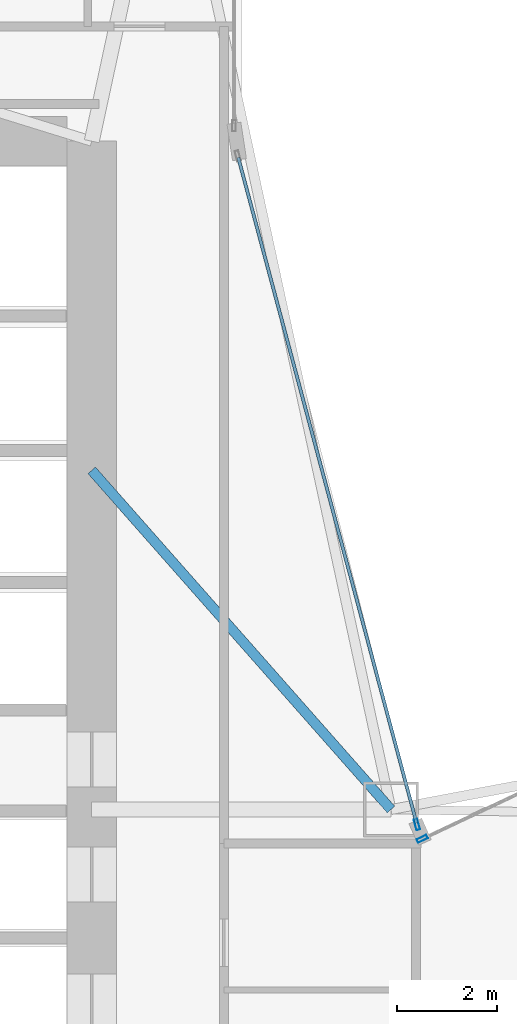
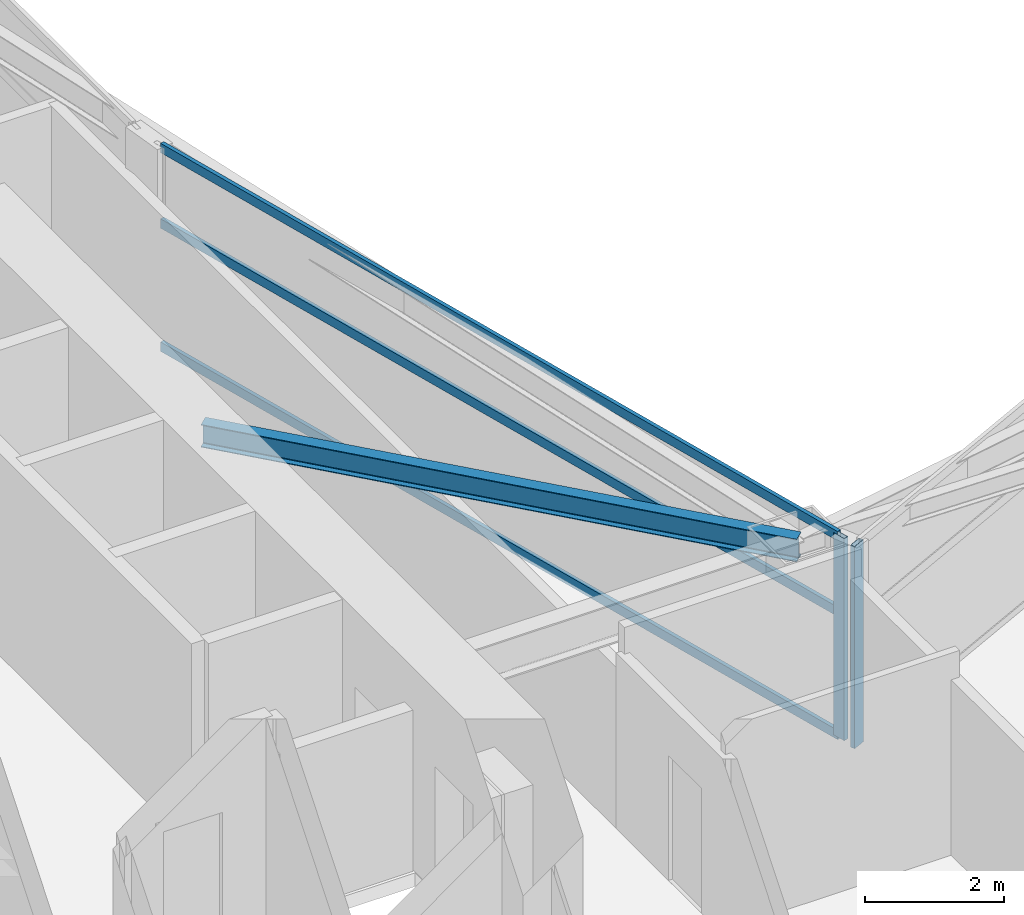
# One storey, part 10 of 29: 5 members, 1 beam, 2 elements without a shape of their own.
"""IFC4 building model written with IfcOpenShell, lengths in metres."""

from ifc_helpers import new_model, si_unit, direction, frame, origin, origin_2d, place, context, subcontext, project, spatial, hollow_rectangle, i_section, extrude, material, layer, layer_set, material_profile, profile_set, type_object, element, aggregate, save


model = new_model("IFC4")

# Units and contexts
model_context = context("Model", 3, precision=1e-05, world=origin(), true_north=direction((0.0, 1.0)))
body_context = subcontext(model_context, "Body", "Model", "MODEL_VIEW")
ifc_project = project(units=[si_unit("LENGTHUNIT", "METRE"), si_unit("AREAUNIT", "SQUARE_METRE"), si_unit("VOLUMEUNIT", "CUBIC_METRE"), si_unit("PLANEANGLEUNIT", "RADIAN"), si_unit("MASSUNIT", "GRAM", prefix="KILO")], contexts=[model_context])

# Site, building, storey
site_placement = place(None, origin())
site = spatial("IfcSite", under=ifc_project, at=site_placement, CompositionType="ELEMENT")
building_placement = place(site_placement, origin())
building = spatial("IfcBuilding", under=site, at=building_placement, Name="Calvorn Quay Hotel", CompositionType="ELEMENT")
storey_placement = place(building_placement, frame((0.0, 0.0, 81.199951171875)))
storey = spatial("IfcBuildingStorey", under=building, at=storey_placement, Name="L19", CompositionType="ELEMENT", Elevation=81.199951171875)

# Beam
ifc_material_1 = material(Name="Steel Q355B", Category="steel")
ifc_material_profile_1 = material_profile(ifc_material_1, i_section(OverallWidth=0.199951171875, OverallDepth=0.39990234375, WebThickness=0.008056640625, FlangeThickness=0.012939453125, FilletRadius=0.01611328125, at=origin_2d()), Name="HN400x200x8x13")
ifc_profile_set_1 = profile_set([ifc_material_profile_1], Name="Steel Q355B")
beam_type = type_object("IfcBeamType", Name="BM-JOIST-TYP", PredefinedType="JOIST", material=ifc_profile_set_1)
beam_placement = place(storey_placement, frame((15.0, 31.800048828125, 3.340087890625), z_axis=(0.661618965899, -0.749840212287, 0.0), x_axis=(0.749840212287, 0.661618965899, 0.0)))
element("IfcBeam", 1, at=beam_placement, inside=storey, type_object=beam_type, Name="Beam BJ-L19-C1", PredefinedType="JOIST", context=body_context, shape_type="SweptSolid", body=[
    extrude(i_section(OverallWidth=0.199951171875, OverallDepth=0.39990234375, WebThickness=0.008056640625, FlangeThickness=0.012939453125, FilletRadius=0.01611328125, at=origin_2d()), origin(), (0.0, 0.0, 1.0), 9.068603515625),
])

# Curtain wall, member
ifc_material_2 = material(Name="Pale Anodised Aluminium and Low-E Glass", Category="aluminium")
ifc_layer = layer(ifc_material_2, 0.219970703125)
ifc_layer_set = layer_set([ifc_layer], Name="CW-SYS-Z1")
curtain_wall_type = type_object("IfcCurtainWallType", Name="CW-SYS-Z1", PredefinedType="NOTDEFINED", material=ifc_layer_set)
curtain_wall_1_placement = place(storey_placement, origin())
curtain_wall_1 = element("IfcCurtainWall", 2, at=curtain_wall_1_placement, inside=storey, type_object=curtain_wall_type, Name="Inner Court Curtain Wall L19-NE1", PredefinedType="NOTDEFINED")
ifc_material_3 = material(Name="Pale Anodised Aluminium 6063-T6", Category="aluminium")
ifc_material_profile_2 = material_profile(ifc_material_3, hollow_rectangle(XDim=0.074951171875, YDim=0.219970703125, WallThickness=0.00439453125, at=origin_2d()), Name="ALU-M220x75x4.5")
ifc_profile_set_2 = profile_set([ifc_material_profile_2], Name="Pale Anodised Aluminium 6063-T6")
member_type_1 = type_object("IfcMemberType", Name="CW-SYS-Z1-MUL", PredefinedType="MULLION", material=ifc_profile_set_2)
member_1_placement = place(storey_placement, frame((21.627197265625, 24.412841796875, 0.0), z_axis=(0.0, 0.0, 1.0), x_axis=(0.427006305415, -0.904248646743, 0.0)))
member_1 = element("IfcMember", 3, at=member_1_placement, type_object=member_type_1, Name="CW-L19-NE1 mullion 4", PredefinedType="MULLION", context=body_context, shape_type="SweptSolid", body=[
    extrude(hollow_rectangle(XDim=0.074951171875, YDim=0.219970703125, WallThickness=0.00439453125, at=origin_2d()), origin(), (0.0, 0.0, 1.0), 3.56005859375),
])
aggregate(curtain_wall_1, [member_1])

# Curtain wall, members
curtain_wall_2_placement = place(storey_placement, origin())
curtain_wall_2 = element("IfcCurtainWall", 4, at=curtain_wall_2_placement, inside=storey, type_object=curtain_wall_type, Name="Inner Court Curtain Wall L19-IC1", PredefinedType="NOTDEFINED")
member_2_placement = place(storey_placement, frame((21.520263671875, 24.698974609375, 0.0), z_axis=(0.0, 0.0, 1.0), x_axis=(-0.96593652056, -0.25877913024, 0.0)))
member_2 = element("IfcMember", 5, at=member_2_placement, type_object=member_type_1, Name="CW-L19-IC1 mullion 1", PredefinedType="MULLION", context=body_context, shape_type="SweptSolid", body=[
    extrude(hollow_rectangle(XDim=0.074951171875, YDim=0.219970703125, WallThickness=0.00439453125, at=origin_2d()), origin(), (0.0, 0.0, 1.0), 3.56005859375),
])
ifc_material_4 = material(Name="Pale Anodised Aluminium 6063-T6", Category="aluminium")
ifc_material_profile_3 = material_profile(ifc_material_4, hollow_rectangle(XDim=0.06494140625, YDim=0.1650390625, WallThickness=0.00341796875, at=origin_2d()), Name="ALU-T165x65x3.5")
ifc_profile_set_3 = profile_set([ifc_material_profile_3], Name="Pale Anodised Aluminium 6063-T6")
member_type_2 = type_object("IfcMemberType", Name="CW-SYS-Z1-TRN", PredefinedType="USERDEFINED", material=ifc_profile_set_3)
member_3_placement = place(storey_placement, frame((21.512451171875, 24.72802734375, 0.030029296875), z_axis=(-0.258781136883, 0.965935982969, 0.0), x_axis=(-0.965935982969, -0.258781136883, 0.0)))
member_3 = element("IfcMember", 6, at=member_3_placement, type_object=member_type_2, Name="CW-L19-IC1 transom 1.1", ObjectType="TRANSOM", PredefinedType="USERDEFINED", context=body_context, shape_type="SweptSolid", body=[
    extrude(hollow_rectangle(XDim=0.06494140625, YDim=0.1650390625, WallThickness=0.00341796875, at=origin_2d()), origin(), (0.0, 0.0, 1.0), 13.814453125),
])
member_4_placement = place(storey_placement, frame((21.512451171875, 24.72802734375, 2.199951171875), z_axis=(-0.258781136883, 0.965935982969, 0.0), x_axis=(-0.965935982969, -0.258781136883, 0.0)))
member_4 = element("IfcMember", 7, at=member_4_placement, type_object=member_type_2, Name="CW-L19-IC1 transom 1.2", ObjectType="TRANSOM", PredefinedType="USERDEFINED", context=body_context, shape_type="SweptSolid", body=[
    extrude(hollow_rectangle(XDim=0.06494140625, YDim=0.1650390625, WallThickness=0.00341796875, at=origin_2d()), origin(), (0.0, 0.0, 1.0), 13.814453125),
])
member_5_placement = place(storey_placement, frame((21.512451171875, 24.72802734375, 3.530029296875), z_axis=(-0.258781136883, 0.965935982969, 0.0), x_axis=(-0.965935982969, -0.258781136883, 0.0)))
member_5 = element("IfcMember", 8, at=member_5_placement, type_object=member_type_2, Name="CW-L19-IC1 transom 1.3", ObjectType="TRANSOM", PredefinedType="USERDEFINED", context=body_context, shape_type="SweptSolid", body=[
    extrude(hollow_rectangle(XDim=0.06494140625, YDim=0.1650390625, WallThickness=0.00341796875, at=origin_2d()), origin(), (0.0, 0.0, 1.0), 13.814453125),
])
aggregate(curtain_wall_2, [member_2, member_3, member_4, member_5])

save(model, "model.ifc")
